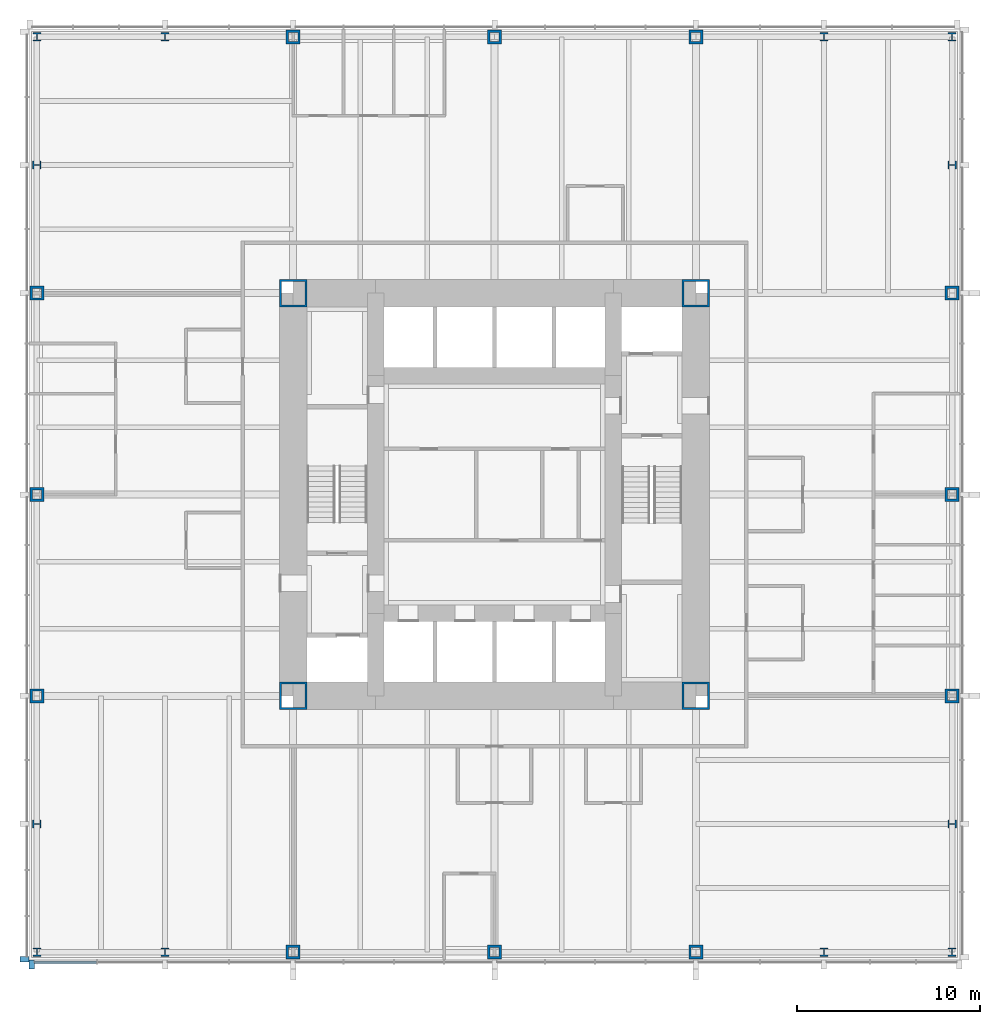
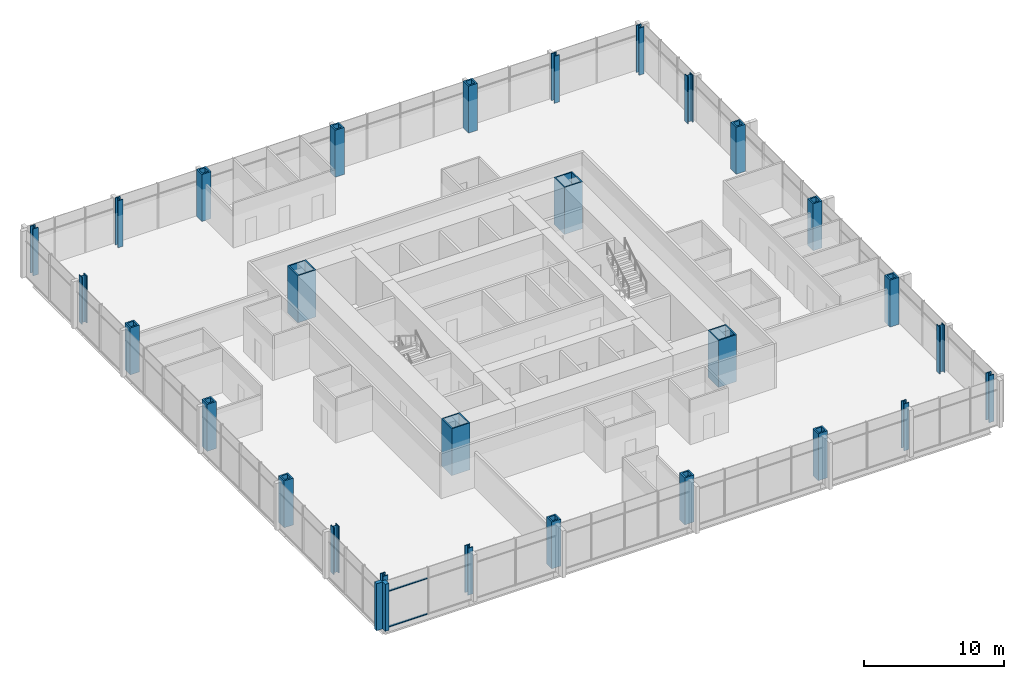
# One storey, part 1 of 12: 28 columns, 4 members, 2 elements without a shape of their own.
"""IFC4 building model written with IfcOpenShell, lengths in metres."""

from ifc_helpers import new_model, si_unit, direction, frame, origin, origin_2d, place, context, subcontext, project, spatial, rectangle, hollow_rectangle, i_section, extrude, material, material_profile, profile_set, type_object, element, aggregate, save


model = new_model("IFC4")

# Units and contexts
model_context = context("Model", 3, precision=1e-05, world=origin(), true_north=direction((0.0, 1.0)))
body_context = subcontext(model_context, "Body", "Model", "MODEL_VIEW")
ifc_project = project(units=[si_unit("LENGTHUNIT", "METRE"), si_unit("AREAUNIT", "SQUARE_METRE"), si_unit("VOLUMEUNIT", "CUBIC_METRE"), si_unit("PLANEANGLEUNIT", "RADIAN"), si_unit("MASSUNIT", "GRAM", prefix="KILO")], contexts=[model_context])

# Site, building, storey
site_placement = place(None, origin())
site = spatial("IfcSite", under=ifc_project, at=site_placement, CompositionType="ELEMENT")
building_placement = place(site_placement, origin())
building = spatial("IfcBuilding", under=site, at=building_placement, Name="Trevanion Tower", CompositionType="ELEMENT")
storey_placement = place(building_placement, frame((0.0, 0.0, 36.5)))
storey = spatial("IfcBuildingStorey", under=building, at=storey_placement, Name="L08", CompositionType="ELEMENT", Elevation=36.5)

# Columns
ifc_material_1 = material(Name="Steel ASTM A588 Grade 50", Category="steel")
ifc_material_profile_1 = material_profile(ifc_material_1, hollow_rectangle(XDim=0.761962890625, YDim=0.761962890625, WallThickness=0.126953125, at=origin_2d()), Name="BOX30X30X5")
ifc_profile_set_1 = profile_set([ifc_material_profile_1], Name="Steel ASTM A588 Grade 50")
column_type_1 = type_object("IfcColumnType", Name="C1 BOX30X30X5", PredefinedType="COLUMN", material=ifc_profile_set_1)
for number, where, z_axis, x_axis, name in (
    (1, (-25.0, 0.0, 0.0), (0.0, 0.0, 1.0), (0.0, 1.0, 0.0), "C1 3/H L08"),
    (2, (-25.0, -11.0, 0.0), (0.0, 0.0, 1.0), (0.0, 1.0, 0.0), "C1 3/F L08"),
    (3, (-11.0, -25.0, 0.0), (0.0, 0.0, 1.0), (1.0, 0.0, 0.0), "C1 8/A L08"),
    (4, (0.0, -25.0, 0.0), (0.0, 0.0, 1.0), (1.0, 0.0, 0.0), "C1 10/A L08"),
    (5, (11.0, -25.0, 0.0), (0.0, 0.0, 1.0), (1.0, 0.0, 0.0), "C1 12/A L08"),
    (6, (25.0, -11.0, 0.0), (0.0, 0.0, 1.0), (0.0, 1.0, 0.0), "C1 17/F L08"),
    (7, (25.0, 0.0, 0.0), (0.0, 0.0, 1.0), (0.0, 1.0, 0.0), "C1 17/H L08"),
    (8, (25.0, 11.0, 0.0), (0.0, 0.0, 1.0), (0.0, 1.0, 0.0), "C1 17/K L08"),
    (9, (11.0, 25.0, 0.0), (0.0, 0.0, 1.0), (1.0, 0.0, 0.0), "C1 12/Q L08"),
    (10, (0.0, 25.0, 0.0), (0.0, 0.0, 1.0), (1.0, 0.0, 0.0), "C1 10/Q L08"),
    (11, (-11.0, 25.0, 0.0), (0.0, 0.0, 1.0), (1.0, 0.0, 0.0), "C1 8/Q L08"),
    (12, (-25.0, 11.0, 0.0), (0.0, 0.0, 1.0), (0.0, 1.0, 0.0), "C1 3/K L08"),
):
    element("IfcColumn", number, at=place(storey_placement, frame(where, z_axis=z_axis, x_axis=x_axis)), inside=storey, type_object=column_type_1, Name=name, PredefinedType="COLUMN", context=body_context, shape_type="SweptSolid", body=[
        extrude(hollow_rectangle(XDim=0.761962890625, YDim=0.761962890625, WallThickness=0.126953125, at=origin_2d()), origin(), (0.0, 0.0, 1.0), 4.10009765625),
    ])
ifc_material_2 = material(Name="Steel ASTM A913 Grade 65", Category="steel")
ifc_material_profile_2 = material_profile(ifc_material_2, i_section(OverallWidth=0.421630859375, OverallDepth=0.46484375, WebThickness=0.044921875, FlangeThickness=0.072509765625, at=origin_2d()), Name="W14X398")
ifc_profile_set_2 = profile_set([ifc_material_profile_2], Name="Steel ASTM A913 Grade 65")
column_type_2 = type_object("IfcColumnType", Name="C2 W14X398", PredefinedType="COLUMN", material=ifc_profile_set_2)
for number, where, z_axis, x_axis, name in (
    (13, (-25.0, -18.0, 0.0), (0.0, 0.0, 1.0), (0.0, 1.0, 0.0), "C2 3/D L08"),
    (14, (-25.0, -25.0, 0.0), (0.0, 0.0, 1.0), (1.0, 0.0, 0.0), "C2 3/A L08"),
    (15, (-18.0, -25.0, 0.0), (0.0, 0.0, 1.0), (1.0, 0.0, 0.0), "C2 6/A L08"),
    (16, (18.0, -25.0, 0.0), (0.0, 0.0, 1.0), (1.0, 0.0, 0.0), "C2 14/A L08"),
    (17, (25.0, -25.0, 0.0), (0.0, 0.0, 1.0), (1.0, 0.0, 0.0), "C2 17/A L08"),
    (18, (25.0, -18.0, 0.0), (0.0, 0.0, 1.0), (0.0, 1.0, 0.0), "C2 17/D L08"),
    (19, (25.0, 18.0, 0.0), (0.0, 0.0, 1.0), (0.0, 1.0, 0.0), "C2 17/M L08"),
    (20, (25.0, 25.0, 0.0), (0.0, 0.0, 1.0), (1.0, 0.0, 0.0), "C2 17/Q L08"),
    (21, (18.0, 25.0, 0.0), (0.0, 0.0, 1.0), (1.0, 0.0, 0.0), "C2 14/Q L08"),
    (22, (-18.0, 25.0, 0.0), (0.0, 0.0, 1.0), (1.0, 0.0, 0.0), "C2 6/Q L08"),
    (23, (-25.0, 25.0, 0.0), (0.0, 0.0, 1.0), (1.0, 0.0, 0.0), "C2 3/Q L08"),
    (24, (-25.0, 18.0, 0.0), (0.0, 0.0, 1.0), (0.0, 1.0, 0.0), "C2 3/M L08"),
):
    element("IfcColumn", number, at=place(storey_placement, frame(where, z_axis=z_axis, x_axis=x_axis)), inside=storey, type_object=column_type_2, Name=name, PredefinedType="COLUMN", context=body_context, shape_type="SweptSolid", body=[
        extrude(i_section(OverallWidth=0.421630859375, OverallDepth=0.46484375, WebThickness=0.044921875, FlangeThickness=0.072509765625, at=origin_2d()), origin(), (0.0, 0.0, 1.0), 4.10009765625),
    ])
ifc_material_3 = material(Name="Steel ASTM A572 Grade 50", Category="steel")
ifc_material_profile_3 = material_profile(ifc_material_3, hollow_rectangle(XDim=1.49853515625, YDim=1.49853515625, WallThickness=0.1015625, at=origin_2d()), Name="BOX59X59X4")
ifc_profile_set_3 = profile_set([ifc_material_profile_3], Name="Steel ASTM A572 Grade 50")
column_type_3 = type_object("IfcColumnType", Name="CB1 BOX59X59X4", PredefinedType="COLUMN", material=ifc_profile_set_3)
for number, where, z_axis, x_axis, name in (
    (25, (11.0, 11.0, 0.0), (0.0, 0.0, 1.0), (1.0, 0.0, 0.0), "CB1 NE L08"),
    (26, (-11.0, 11.0, 0.0), (0.0, 0.0, 1.0), (1.0, 0.0, 0.0), "CB1 NW L08"),
    (27, (-11.0, -11.0, 0.0), (0.0, 0.0, 1.0), (1.0, 0.0, 0.0), "CB1 SW L08"),
    (28, (11.0, -11.0, 0.0), (0.0, 0.0, 1.0), (1.0, 0.0, 0.0), "CB1 SE L08"),
):
    element("IfcColumn", number, at=place(storey_placement, frame(where, z_axis=z_axis, x_axis=x_axis)), inside=storey, type_object=column_type_3, Name=name, PredefinedType="COLUMN", context=body_context, shape_type="SweptSolid", body=[
        extrude(hollow_rectangle(XDim=1.49853515625, YDim=1.49853515625, WallThickness=0.1015625, at=origin_2d()), origin(), (0.0, 0.0, 1.0), 4.10009765625),
    ])

# Curtain wall, member
ifc_material_4 = material(Name="Aluminium and glass", Category="aluminium")
curtain_wall_type = type_object("IfcCurtainWallType", Name="CW1 curtain wall", PredefinedType="USERDEFINED", material=ifc_material_4)
curtain_wall_1_placement = place(storey_placement, origin())
curtain_wall_1 = element("IfcCurtainWall", 29, at=curtain_wall_1_placement, inside=storey, type_object=curtain_wall_type, Name="CW1 L08 2", ObjectType="UNITISED CURTAIN WALL", PredefinedType="USERDEFINED")
ifc_material_5 = material(Name="Aluminium extrusion, anodised bronze", Category="aluminium")
ifc_material_profile_4 = material_profile(ifc_material_5, rectangle(XDim=0.300048828125, YDim=0.5, at=origin_2d()), Name="CW1 pier mullion")
ifc_profile_set_4 = profile_set([ifc_material_profile_4], Name="Aluminium extrusion, anodised bronze")
member_type_1 = type_object("IfcMemberType", Name="CW1 pier mullion", PredefinedType="MULLION", material=ifc_profile_set_4)
member_1_placement = place(storey_placement, frame((-25.675048828125, -25.39990234375, -0.18994140625), z_axis=(0.0, 0.0, 1.0), x_axis=(0.0, -1.0, 0.0)))
member_1 = element("IfcMember", 30, at=member_1_placement, type_object=member_type_1, Name="CW1 pier mullion 18", PredefinedType="MULLION", context=body_context, shape_type="SweptSolid", body=[
    extrude(rectangle(XDim=0.300048828125, YDim=0.5, at=origin_2d()), origin(), (0.0, 0.0, 1.0), 4.099853515625),
])
aggregate(curtain_wall_1, [member_1])

# Curtain wall, members
curtain_wall_2_placement = place(storey_placement, origin())
curtain_wall_2 = element("IfcCurtainWall", 31, at=curtain_wall_2_placement, inside=storey, type_object=curtain_wall_type, Name="CW1 L08 3", ObjectType="UNITISED CURTAIN WALL", PredefinedType="USERDEFINED")
member_2_placement = place(storey_placement, frame((-25.27001953125, -25.675048828125, -0.18994140625), z_axis=(0.0, 0.0, 1.0), x_axis=(1.0, 0.0, 0.0)))
member_2 = element("IfcMember", 32, at=member_2_placement, type_object=member_type_1, Name="CW1 pier mullion 1", PredefinedType="MULLION", context=body_context, shape_type="SweptSolid", body=[
    extrude(rectangle(XDim=0.300048828125, YDim=0.5, at=origin_2d()), origin(), (0.0, 0.0, 1.0), 4.099853515625),
])
ifc_material_6 = material(Name="Aluminium extrusion, anodised bronze", Category="aluminium")
ifc_material_profile_5 = material_profile(ifc_material_6, rectangle(XDim=0.14990234375, YDim=0.074951171875, at=origin_2d()), Name="CW1 transom")
ifc_profile_set_5 = profile_set([ifc_material_profile_5], Name="Aluminium extrusion, anodised bronze")
member_type_2 = type_object("IfcMemberType", Name="CW1 transom", PredefinedType="USERDEFINED", material=ifc_profile_set_5)
member_3_placement = place(storey_placement, frame((-25.1201171875, -25.550048828125, -0.152587890625), z_axis=(1.0, 0.0, 0.0), x_axis=(0.0, 1.0, 0.0)))
member_3 = element("IfcMember", 33, at=member_3_placement, type_object=member_type_2, Name="CW1 transom 1.1", ObjectType="TRANSOM", PredefinedType="USERDEFINED", context=body_context, shape_type="SweptSolid", body=[
    extrude(rectangle(XDim=0.14990234375, YDim=0.074951171875, at=origin_2d()), origin(), (0.0, 0.0, 1.0), 3.37255859375),
])
member_4_placement = place(storey_placement, frame((-25.1201171875, -25.550048828125, 2.9599609375), z_axis=(1.0, 0.0, 0.0), x_axis=(0.0, 1.0, 0.0)))
member_4 = element("IfcMember", 34, at=member_4_placement, type_object=member_type_2, Name="CW1 transom 1.2", ObjectType="TRANSOM", PredefinedType="USERDEFINED", context=body_context, shape_type="SweptSolid", body=[
    extrude(rectangle(XDim=0.14990234375, YDim=0.074951171875, at=origin_2d()), origin(), (0.0, 0.0, 1.0), 3.37255859375),
])
aggregate(curtain_wall_2, [member_2, member_3, member_4])

save(model, "model.ifc")
